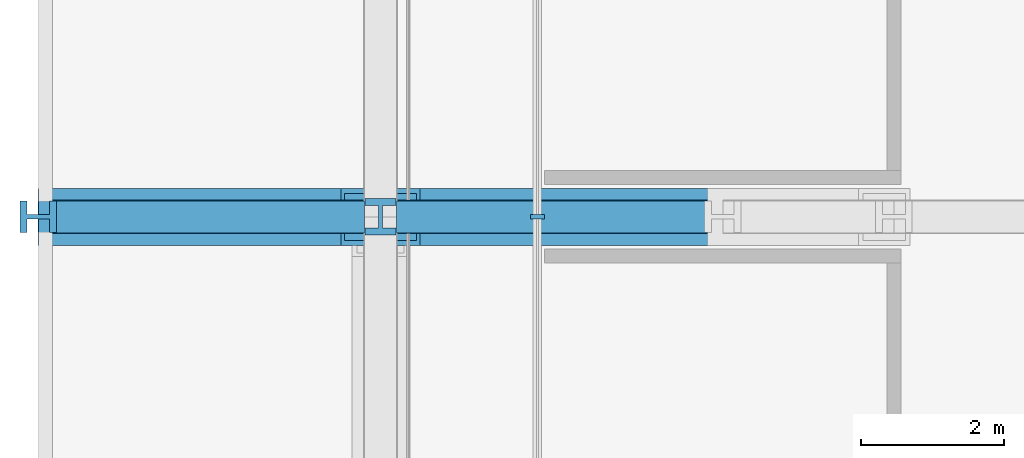
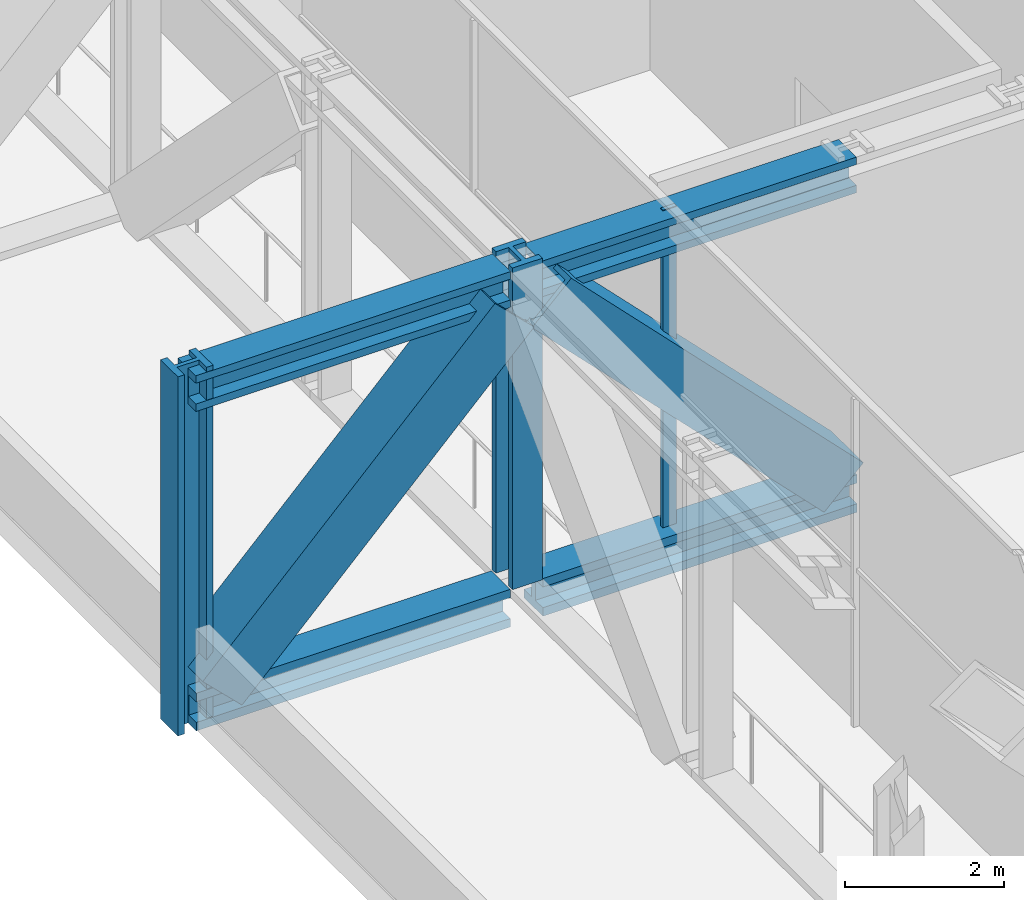
# One storey, part 3 of 30: 9 members, 1 element without a shape of its own.
"""IFC4 building model written with IfcOpenShell, lengths in metres."""

from ifc_helpers import new_model, si_unit, direction, frame, origin, origin_2d, place, context, subcontext, project, spatial, rectangle, hollow_rectangle, i_section, extrude, material, layer, layer_set, material_profile, profile_set, type_object, element, aggregate, save


model = new_model("IFC4")

# Units and contexts
model_context = context("Model", 3, precision=1e-05, world=origin(), true_north=direction((0.0, 1.0)))
body_context = subcontext(model_context, "Body", "Model", "MODEL_VIEW")
ifc_project = project(units=[si_unit("LENGTHUNIT", "METRE"), si_unit("AREAUNIT", "SQUARE_METRE"), si_unit("VOLUMEUNIT", "CUBIC_METRE"), si_unit("PLANEANGLEUNIT", "RADIAN"), si_unit("MASSUNIT", "GRAM", prefix="KILO")], contexts=[model_context])

# Site, building, storey
site_placement = place(None, origin())
site = spatial("IfcSite", under=ifc_project, at=site_placement, CompositionType="ELEMENT")
building_placement = place(site_placement, origin())
building = spatial("IfcBuilding", under=site, at=building_placement, Name="Madar Terraces", CompositionType="ELEMENT")
storey_placement = place(building_placement, frame((0.0, 0.0, 53.89990234375)))
storey = spatial("IfcBuildingStorey", under=building, at=storey_placement, Name="L13", CompositionType="ELEMENT", Elevation=53.89990234375)

# Members
ifc_material_1 = material(Name="Steel ASTM A913 Grade 65", Category="steel")
ifc_material_profile_1 = material_profile(ifc_material_1, i_section(OverallWidth=0.472412109375, OverallDepth=0.5791015625, WebThickness=0.094970703125, FlangeThickness=0.130126953125, at=origin_2d()), Name="W14x808")
ifc_profile_set_1 = profile_set([ifc_material_profile_1], Name="Steel ASTM A913 Grade 65")
member_type_1 = type_object("IfcMemberType", Name="BC2 W14x808", PredefinedType="CHORD", material=ifc_profile_set_1)
member_1_placement = place(storey_placement, frame((0.0, 24.0, -0.13037109375), z_axis=(1.0, 0.0, 0.0), x_axis=(0.0, 1.0, 0.0)))
element("IfcMember", 1, at=member_1_placement, inside=storey, type_object=member_type_1, Name="Exoskeleton truss cross W24 bottom chord BC2", PredefinedType="CHORD", context=body_context, shape_type="SweptSolid", body=[
    extrude(i_section(OverallWidth=0.472412109375, OverallDepth=0.5791015625, WebThickness=0.094970703125, FlangeThickness=0.130126953125, at=origin_2d()), origin(), (0.0, 0.0, 1.0), 4.563720703125),
])
member_2_placement = place(storey_placement, frame((5.0361328125, 24.0, -0.13037109375), z_axis=(1.0, 0.0, 0.0), x_axis=(0.0, 1.0, 0.0)))
element("IfcMember", 2, at=member_2_placement, inside=storey, type_object=member_type_1, Name="Exoskeleton truss cross W24 bottom chord BC2", PredefinedType="CHORD", context=body_context, shape_type="SweptSolid", body=[
    extrude(i_section(OverallWidth=0.472412109375, OverallDepth=0.5791015625, WebThickness=0.094970703125, FlangeThickness=0.130126953125, at=origin_2d()), origin(), (0.0, 0.0, 1.0), 4.56396484375),
])

# Curtain wall, member
ifc_material_2 = material(Name="Glass, ceramic frit dark grey, with black aluminium frame", Category="aluminium")
ifc_layer = layer(ifc_material_2, 0.199951171875)
ifc_layer_set = layer_set([ifc_layer], Name="Facade curtain wall, tall glazing")
curtain_wall_type = type_object("IfcCurtainWallType", Name="Facade curtain wall, tall glazing", PredefinedType="NOTDEFINED", material=ifc_layer_set)
curtain_wall_placement = place(storey_placement, origin())
curtain_wall = element("IfcCurtainWall", 3, at=curtain_wall_placement, inside=storey, type_object=curtain_wall_type, Name="Outer skin curtain wall west bay 1", PredefinedType="NOTDEFINED")
ifc_material_3 = material(Name="Aluminium, black anodised", Category="aluminium")
ifc_material_profile_2 = material_profile(ifc_material_3, rectangle(XDim=0.199951171875, YDim=0.06005859375, at=origin_2d()), Name="Facade mullion 60x200")
ifc_profile_set_2 = profile_set([ifc_material_profile_2], Name="Aluminium, black anodised")
member_type_2 = type_object("IfcMemberType", Name="Facade mullion 60x200", PredefinedType="MULLION", material=ifc_profile_set_2)
member_3_placement = place(storey_placement, frame((7.0, 24.0, 0.0), z_axis=(0.0, 0.0, 1.0), x_axis=(1.0, 0.0, 0.0)))
member_3 = element("IfcMember", 4, at=member_3_placement, type_object=member_type_2, Name="Mullion 4", PredefinedType="MULLION", context=body_context, shape_type="SweptSolid", body=[
    extrude(rectangle(XDim=0.199951171875, YDim=0.06005859375, at=origin_2d()), origin(), (0.0, 0.0, 1.0), 5.0400390625),
])
aggregate(curtain_wall, [member_3])

# Members
ifc_material_4 = material(Name="Steel ASTM A913 Grade 65", Category="steel")
ifc_material_profile_3 = material_profile(ifc_material_4, i_section(OverallWidth=0.449462890625, OverallDepth=0.548583984375, WebThickness=0.07177734375, FlangeThickness=0.11474609375, at=origin_2d()), Name="W14x665")
ifc_profile_set_3 = profile_set([ifc_material_profile_3], Name="Steel ASTM A913 Grade 65")
member_type_3 = type_object("IfcMemberType", Name="TC2 W14x665", PredefinedType="CHORD", material=ifc_profile_set_3)
for number, where, z_axis, x_axis, name in (
    (5, (0.0, 24.0, 4.755859375), (1.0, 0.0, 0.0), (0.0, 1.0, 0.0), "Exoskeleton truss cross W24 top chord TC2"),
    (6, (5.02490234375, 24.0, 4.755859375), (1.0, 0.0, 0.0), (0.0, 1.0, 0.0), "Exoskeleton truss cross W24 top chord TC2"),
):
    element("IfcMember", number, at=place(storey_placement, frame(where, z_axis=z_axis, x_axis=x_axis)), inside=storey, type_object=member_type_3, Name=name, PredefinedType="CHORD", context=body_context, shape_type="SweptSolid", body=[
        extrude(i_section(OverallWidth=0.449462890625, OverallDepth=0.548583984375, WebThickness=0.07177734375, FlangeThickness=0.11474609375, at=origin_2d()), origin(), (0.0, 0.0, 1.0), 4.5751953125),
    ])
ifc_material_5 = material(Name="Steel ASTM A572 Grade 50", Category="steel")
ifc_material_profile_4 = material_profile(ifc_material_5, hollow_rectangle(XDim=0.800048828125, YDim=0.800048828125, WallThickness=0.070068359375, at=origin_2d()), Name="BOX800x800x70")
ifc_profile_set_4 = profile_set([ifc_material_profile_4], Name="Steel ASTM A572 Grade 50")
member_type_4 = type_object("IfcMemberType", Name="TD2 BOX800x800x70", PredefinedType="BRACE", material=ifc_profile_set_4)
member_4_placement = place(storey_placement, frame((0.284423828125, 24.0, 0.1591796875), z_axis=(0.700792979798, 0.0, 0.713364702986), x_axis=(0.0, 1.0, 0.0)))
element("IfcMember", 7, at=member_4_placement, inside=storey, type_object=member_type_4, Name="Exoskeleton truss cross W24 diagonal TD2", PredefinedType="BRACE", context=body_context, shape_type="SweptSolid", body=[
    extrude(hollow_rectangle(XDim=0.800048828125, YDim=0.800048828125, WallThickness=0.070068359375, at=origin_2d()), origin(), (0.0, 0.0, 1.0), 6.05908203125),
])
member_5_placement = place(storey_placement, frame((5.069580078125, 24.0, 4.4814453125), z_axis=(0.700772473755, 0.0, -0.713384847068), x_axis=(0.0, 1.0, 0.0)))
element("IfcMember", 8, at=member_5_placement, inside=storey, type_object=member_type_4, Name="Exoskeleton truss cross W24 diagonal TD2", PredefinedType="BRACE", context=body_context, shape_type="SweptSolid", body=[
    extrude(hollow_rectangle(XDim=0.800048828125, YDim=0.800048828125, WallThickness=0.070068359375, at=origin_2d()), origin(), (0.0, 0.0, 1.0), 6.058837890625),
])
ifc_material_6 = material(Name="Steel ASTM A913 Grade 65", Category="steel")
ifc_material_profile_5 = material_profile(ifc_material_6, i_section(OverallWidth=0.436767578125, OverallDepth=0.51318359375, WebThickness=0.060546875, FlangeThickness=0.096923828125, at=origin_2d()), Name="W14x550")
ifc_profile_set_5 = profile_set([ifc_material_profile_5], Name="Steel ASTM A913 Grade 65")
member_type_5 = type_object("IfcMemberType", Name="TV2 W14x550", PredefinedType="POST", material=ifc_profile_set_5)
member_6_placement = place(storey_placement, frame((4.800048828125, 24.0, 0.1591796875), z_axis=(0.0, 0.0, 1.0), x_axis=(1.0, 0.0, 0.0)))
element("IfcMember", 9, at=member_6_placement, inside=storey, type_object=member_type_5, Name="Exoskeleton truss ring post TV2", PredefinedType="POST", context=body_context, shape_type="SweptSolid", body=[
    extrude(i_section(OverallWidth=0.436767578125, OverallDepth=0.51318359375, WebThickness=0.060546875, FlangeThickness=0.096923828125, at=origin_2d()), origin(), (0.0, 0.0, 1.0), 4.94091796875),
])
member_7_placement = place(storey_placement, frame((0.0, 24.0, -0.419921875), z_axis=(0.0, 0.0, 1.0), x_axis=(0.0, 1.0, 0.0)))
element("IfcMember", 10, at=member_7_placement, inside=storey, type_object=member_type_5, Name="Exoskeleton truss cross W24 post TV2", PredefinedType="POST", context=body_context, shape_type="SweptSolid", body=[
    extrude(i_section(OverallWidth=0.436767578125, OverallDepth=0.51318359375, WebThickness=0.060546875, FlangeThickness=0.096923828125, at=origin_2d()), origin(), (0.0, 0.0, 1.0), 5.52001953125),
])

save(model, "model.ifc")
